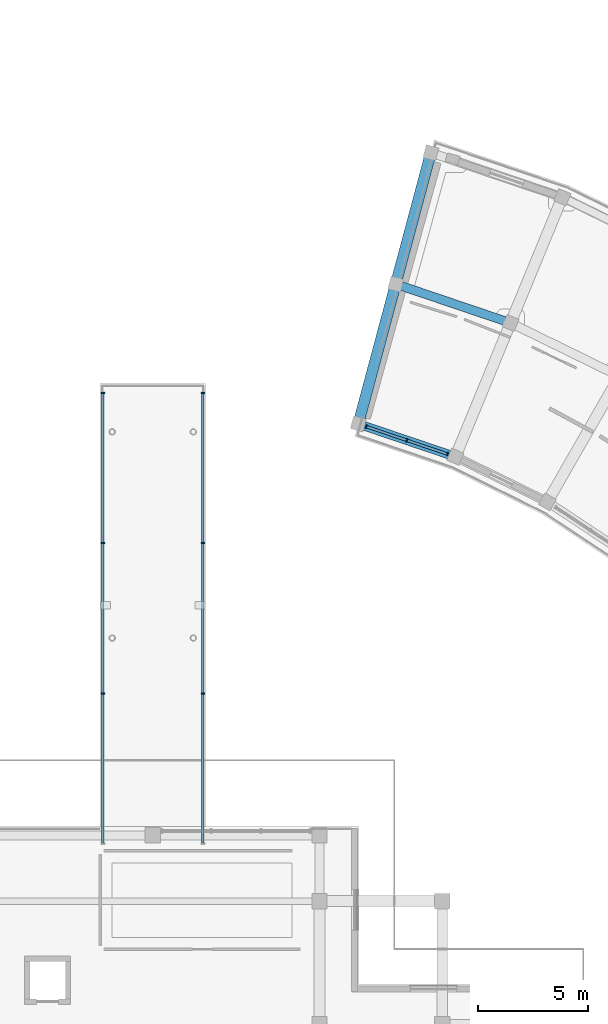
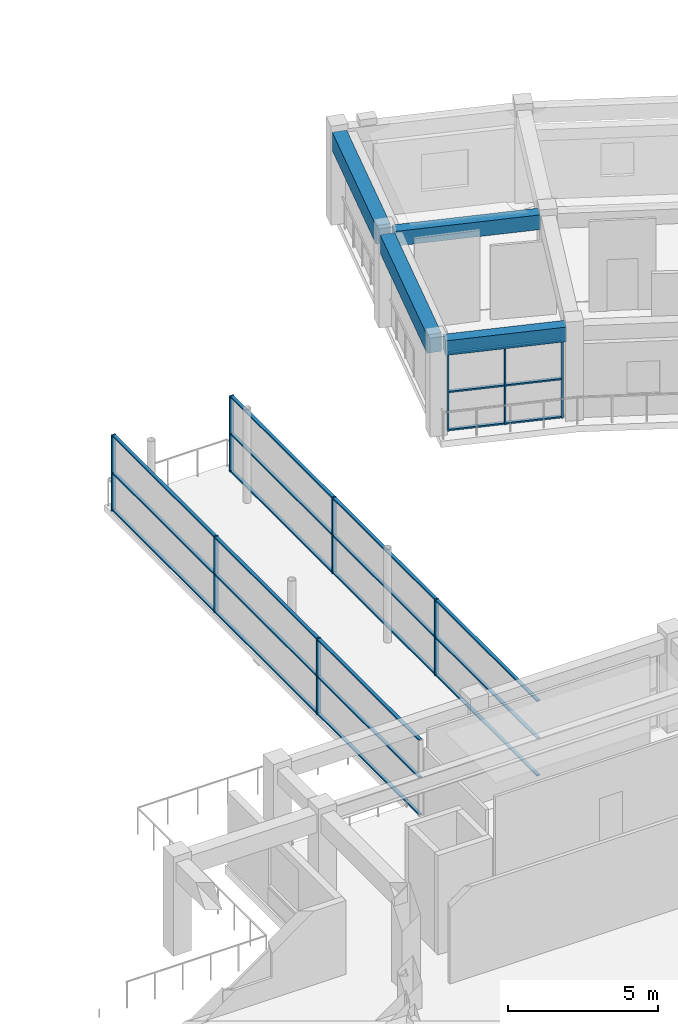
# One storey, part 23 of 53: 33 members, 4 beams, 3 elements without a shape of their own.
"""IFC4 building model written with IfcOpenShell, lengths in metres."""

from ifc_helpers import new_model, si_unit, direction, frame, origin, origin_2d, place, context, subcontext, project, spatial, rectangle, extrude, material, material_profile, profile_set, type_object, element, aggregate, save


model = new_model("IFC4")

# Units and contexts
model_context = context("Model", 3, precision=1e-05, world=origin(), true_north=direction((0.0, 1.0)))
body_context = subcontext(model_context, "Body", "Model", "MODEL_VIEW")
ifc_project = project(units=[si_unit("LENGTHUNIT", "METRE"), si_unit("AREAUNIT", "SQUARE_METRE"), si_unit("VOLUMEUNIT", "CUBIC_METRE"), si_unit("PLANEANGLEUNIT", "RADIAN"), si_unit("MASSUNIT", "GRAM", prefix="KILO")], contexts=[model_context])

# Site, building, storey
site_placement = place(None, origin())
site = spatial("IfcSite", under=ifc_project, at=site_placement, CompositionType="ELEMENT")
building_placement = place(site_placement, origin())
building = spatial("IfcBuilding", under=site, at=building_placement, Name="Saryqyr Civic Hall", CompositionType="ELEMENT")
storey_placement = place(building_placement, frame((0.0, 0.0, 21.300048828125)))
storey = spatial("IfcBuildingStorey", under=building, at=storey_placement, Name="L05", CompositionType="ELEMENT", Elevation=21.300048828125)

# Curtain wall, members
ifc_material_1 = material(Name="Anodised aluminium and triple low-E glass", Category="aluminium")
curtain_wall_type_1 = type_object("IfcCurtainWallType", Name="ENV-CW-STD-21", PredefinedType="NOTDEFINED", material=ifc_material_1)
curtain_wall_1_placement = place(storey_placement, origin())
curtain_wall_1 = element("IfcCurtainWall", 1, at=curtain_wall_1_placement, inside=storey, type_object=curtain_wall_type_1, Name="Curtain wall V6-CWI-L05-09", PredefinedType="NOTDEFINED")
ifc_material_2 = material(Name="Anodised aluminium", Category="aluminium")
ifc_material_profile_1 = material_profile(ifc_material_2, rectangle(XDim=0.06005859375, YDim=0.159912109375, at=origin_2d()), Name="ALU MULLION 60x160")
ifc_profile_set_1 = profile_set([ifc_material_profile_1], Name="Anodised aluminium")
member_type_1 = type_object("IfcMemberType", Name="ENV-CW-MUL-180", PredefinedType="MULLION", material=ifc_profile_set_1)
member_1_placement = place(storey_placement, frame((70.42919921875, 117.592041015625, 0.0), z_axis=(0.0, 0.0, 1.0), x_axis=(-0.947202392558, 0.320636285428, 0.0)))
member_1 = element("IfcMember", 2, at=member_1_placement, type_object=member_type_1, Name="CW-21 mullion 1", PredefinedType="MULLION", context=body_context, shape_type="SweptSolid", body=[
    extrude(rectangle(XDim=0.06005859375, YDim=0.159912109375, at=origin_2d()), origin(), (0.0, 0.0, 1.0), 3.1650390625),
])
member_2_placement = place(storey_placement, frame((68.58349609375, 118.217041015625, 0.0), z_axis=(0.0, 0.0, 1.0), x_axis=(-0.947202392558, 0.320636285428, 0.0)))
member_2 = element("IfcMember", 3, at=member_2_placement, type_object=member_type_1, Name="CW-21 mullion 2", PredefinedType="MULLION", context=body_context, shape_type="SweptSolid", body=[
    extrude(rectangle(XDim=0.06005859375, YDim=0.159912109375, at=origin_2d()), origin(), (0.0, 0.0, 1.0), 3.1650390625),
])
member_3_placement = place(storey_placement, frame((66.737548828125, 118.841796875, 0.0), z_axis=(0.0, 0.0, 1.0), x_axis=(-0.947202392558, 0.320636285428, 0.0)))
member_3 = element("IfcMember", 4, at=member_3_placement, type_object=member_type_1, Name="CW-21 mullion 3", PredefinedType="MULLION", context=body_context, shape_type="SweptSolid", body=[
    extrude(rectangle(XDim=0.06005859375, YDim=0.159912109375, at=origin_2d()), origin(), (0.0, 0.0, 1.0), 3.1650390625),
])

curtain_wall_type_2 = type_object("IfcCurtainWallType", Name="ENV-CW-STD-88", PredefinedType="NOTDEFINED", material=ifc_material_1)
curtain_wall_2_placement = place(storey_placement, origin())
curtain_wall_2 = element("IfcCurtainWall", 5, at=curtain_wall_2_placement, inside=storey, type_object=curtain_wall_type_2, Name="Curtain wall BR-CN-CW1-L05", PredefinedType="NOTDEFINED")
member_4_placement = place(storey_placement, frame((54.719970703125, 106.666748046875, 0.0), z_axis=(0.0, 0.0, 1.0), x_axis=(0.0, 1.0, 0.0)))
member_4 = element("IfcMember", 6, at=member_4_placement, type_object=member_type_1, Name="CW-88 mullion 2", PredefinedType="MULLION", context=body_context, shape_type="SweptSolid", body=[
    extrude(rectangle(XDim=0.06005859375, YDim=0.159912109375, at=origin_2d()), origin(), (0.0, 0.0, 1.0), 3.099853515625),
])
member_5_placement = place(storey_placement, frame((54.719970703125, 113.533447265625, 0.0), z_axis=(0.0, 0.0, 1.0), x_axis=(0.0, 1.0, 0.0)))
member_5 = element("IfcMember", 7, at=member_5_placement, type_object=member_type_1, Name="CW-88 mullion 3", PredefinedType="MULLION", context=body_context, shape_type="SweptSolid", body=[
    extrude(rectangle(XDim=0.06005859375, YDim=0.159912109375, at=origin_2d()), origin(), (0.0, 0.0, 1.0), 3.099853515625),
])
member_6_placement = place(storey_placement, frame((54.719970703125, 120.3701171875, 0.0), z_axis=(0.0, 0.0, 1.0), x_axis=(0.0, 1.0, 0.0)))
member_6 = element("IfcMember", 8, at=member_6_placement, type_object=member_type_1, Name="CW-88 mullion 4", PredefinedType="MULLION", context=body_context, shape_type="SweptSolid", body=[
    extrude(rectangle(XDim=0.06005859375, YDim=0.159912109375, at=origin_2d()), origin(), (0.0, 0.0, 1.0), 3.099853515625),
])

curtain_wall_3_placement = place(storey_placement, origin())
curtain_wall_3 = element("IfcCurtainWall", 9, at=curtain_wall_3_placement, inside=storey, type_object=curtain_wall_type_2, Name="Curtain wall BR-CN-CW2-L05", PredefinedType="NOTDEFINED")
member_7_placement = place(storey_placement, frame((59.280029296875, 120.3701171875, 0.0), z_axis=(0.0, 0.0, 1.0), x_axis=(0.0, -1.0, 0.0)))
member_7 = element("IfcMember", 10, at=member_7_placement, type_object=member_type_1, Name="CW-88 mullion 1", PredefinedType="MULLION", context=body_context, shape_type="SweptSolid", body=[
    extrude(rectangle(XDim=0.06005859375, YDim=0.159912109375, at=origin_2d()), origin(), (0.0, 0.0, 1.0), 3.099853515625),
])
member_8_placement = place(storey_placement, frame((59.280029296875, 113.533447265625, 0.0), z_axis=(0.0, 0.0, 1.0), x_axis=(0.0, -1.0, 0.0)))
member_8 = element("IfcMember", 11, at=member_8_placement, type_object=member_type_1, Name="CW-88 mullion 2", PredefinedType="MULLION", context=body_context, shape_type="SweptSolid", body=[
    extrude(rectangle(XDim=0.06005859375, YDim=0.159912109375, at=origin_2d()), origin(), (0.0, 0.0, 1.0), 3.099853515625),
])
member_9_placement = place(storey_placement, frame((59.280029296875, 106.666748046875, 0.0), z_axis=(0.0, 0.0, 1.0), x_axis=(0.0, -1.0, 0.0)))
member_9 = element("IfcMember", 12, at=member_9_placement, type_object=member_type_1, Name="CW-88 mullion 3", PredefinedType="MULLION", context=body_context, shape_type="SweptSolid", body=[
    extrude(rectangle(XDim=0.06005859375, YDim=0.159912109375, at=origin_2d()), origin(), (0.0, 0.0, 1.0), 3.099853515625),
])

# Member
ifc_material_profile_2 = material_profile(ifc_material_2, rectangle(XDim=0.1201171875, YDim=0.06005859375, at=origin_2d()), Name="ALU TRANSOM 120x60")
ifc_profile_set_2 = profile_set([ifc_material_profile_2], Name="Anodised aluminium")
member_type_2 = type_object("IfcMemberType", Name="ENV-CW-TRN-150", PredefinedType="USERDEFINED", material=ifc_profile_set_2)
member_10_placement = place(storey_placement, frame((70.40087890625, 117.601806640625, 0.030029296875), z_axis=(-0.947225631474, 0.320567626372, 0.0), x_axis=(-0.320567626372, -0.947225631474, 0.0)))
member_10 = element("IfcMember", 13, at=member_10_placement, type_object=member_type_2, Name="CW-21 transom 1.1", ObjectType="TRANSOM", PredefinedType="USERDEFINED", context=body_context, shape_type="SweptSolid", body=[
    extrude(rectangle(XDim=0.1201171875, YDim=0.06005859375, at=origin_2d()), origin(), (0.0, 0.0, 1.0), 1.888671875),
])

member_11_placement = place(storey_placement, frame((70.40087890625, 117.601806640625, 1.5830078125), z_axis=(-0.947225631474, 0.320567626372, 0.0), x_axis=(-0.320567626372, -0.947225631474, 0.0)))
member_11 = element("IfcMember", 14, at=member_11_placement, type_object=member_type_2, Name="CW-21 transom 1.2", ObjectType="TRANSOM", PredefinedType="USERDEFINED", context=body_context, shape_type="SweptSolid", body=[
    extrude(rectangle(XDim=0.1201171875, YDim=0.06005859375, at=origin_2d()), origin(), (0.0, 0.0, 1.0), 1.888671875),
])

member_12_placement = place(storey_placement, frame((70.40087890625, 117.601806640625, 3.135009765625), z_axis=(-0.947225631474, 0.320567626372, 0.0), x_axis=(-0.320567626372, -0.947225631474, 0.0)))
member_12 = element("IfcMember", 15, at=member_12_placement, type_object=member_type_2, Name="CW-21 transom 1.3", ObjectType="TRANSOM", PredefinedType="USERDEFINED", context=body_context, shape_type="SweptSolid", body=[
    extrude(rectangle(XDim=0.1201171875, YDim=0.06005859375, at=origin_2d()), origin(), (0.0, 0.0, 1.0), 1.888671875),
])

member_13_placement = place(storey_placement, frame((68.554931640625, 118.2265625, 0.030029296875), z_axis=(-0.947173081029, 0.320722862568, 0.0), x_axis=(-0.320722862568, -0.947173081029, 0.0)))
member_13 = element("IfcMember", 16, at=member_13_placement, type_object=member_type_2, Name="CW-21 transom 2.1", ObjectType="TRANSOM", PredefinedType="USERDEFINED", context=body_context, shape_type="SweptSolid", body=[
    extrude(rectangle(XDim=0.1201171875, YDim=0.06005859375, at=origin_2d()), origin(), (0.0, 0.0, 1.0), 1.888671875),
])

member_14_placement = place(storey_placement, frame((68.554931640625, 118.2265625, 1.5830078125), z_axis=(-0.947173081029, 0.320722862568, 0.0), x_axis=(-0.320722862568, -0.947173081029, 0.0)))
member_14 = element("IfcMember", 17, at=member_14_placement, type_object=member_type_2, Name="CW-21 transom 2.2", ObjectType="TRANSOM", PredefinedType="USERDEFINED", context=body_context, shape_type="SweptSolid", body=[
    extrude(rectangle(XDim=0.1201171875, YDim=0.06005859375, at=origin_2d()), origin(), (0.0, 0.0, 1.0), 1.888671875),
])

member_15_placement = place(storey_placement, frame((68.554931640625, 118.2265625, 3.135009765625), z_axis=(-0.947173081029, 0.320722862568, 0.0), x_axis=(-0.320722862568, -0.947173081029, 0.0)))
member_15 = element("IfcMember", 18, at=member_15_placement, type_object=member_type_2, Name="CW-21 transom 2.3", ObjectType="TRANSOM", PredefinedType="USERDEFINED", context=body_context, shape_type="SweptSolid", body=[
    extrude(rectangle(XDim=0.1201171875, YDim=0.06005859375, at=origin_2d()), origin(), (0.0, 0.0, 1.0), 1.888671875),
])

aggregate(curtain_wall_1, [member_1, member_2, member_3, member_10, member_11, member_12, member_13, member_14, member_15])

member_16_placement = place(storey_placement, frame((54.719970703125, 99.860107421875, 0.030029296875), z_axis=(0.0, 1.0, 0.0), x_axis=(-1.0, 0.0, 0.0)))
member_16 = element("IfcMember", 19, at=member_16_placement, type_object=member_type_2, Name="CW-88 transom 1.1", ObjectType="TRANSOM", PredefinedType="USERDEFINED", context=body_context, shape_type="SweptSolid", body=[
    extrude(rectangle(XDim=0.1201171875, YDim=0.06005859375, at=origin_2d()), origin(), (0.0, 0.0, 1.0), 6.776611328125),
])

member_17_placement = place(storey_placement, frame((54.719970703125, 99.860107421875, 1.550048828125), z_axis=(0.0, 1.0, 0.0), x_axis=(-1.0, 0.0, 0.0)))
member_17 = element("IfcMember", 20, at=member_17_placement, type_object=member_type_2, Name="CW-88 transom 1.2", ObjectType="TRANSOM", PredefinedType="USERDEFINED", context=body_context, shape_type="SweptSolid", body=[
    extrude(rectangle(XDim=0.1201171875, YDim=0.06005859375, at=origin_2d()), origin(), (0.0, 0.0, 1.0), 6.776611328125),
])

member_18_placement = place(storey_placement, frame((54.719970703125, 99.860107421875, 3.070068359375), z_axis=(0.0, 1.0, 0.0), x_axis=(-1.0, 0.0, 0.0)))
member_18 = element("IfcMember", 21, at=member_18_placement, type_object=member_type_2, Name="CW-88 transom 1.3", ObjectType="TRANSOM", PredefinedType="USERDEFINED", context=body_context, shape_type="SweptSolid", body=[
    extrude(rectangle(XDim=0.1201171875, YDim=0.06005859375, at=origin_2d()), origin(), (0.0, 0.0, 1.0), 6.776611328125),
])

member_19_placement = place(storey_placement, frame((54.719970703125, 106.69677734375, 0.030029296875), z_axis=(0.0, 1.0, 0.0), x_axis=(-1.0, 0.0, 0.0)))
member_19 = element("IfcMember", 22, at=member_19_placement, type_object=member_type_2, Name="CW-88 transom 2.1", ObjectType="TRANSOM", PredefinedType="USERDEFINED", context=body_context, shape_type="SweptSolid", body=[
    extrude(rectangle(XDim=0.1201171875, YDim=0.06005859375, at=origin_2d()), origin(), (0.0, 0.0, 1.0), 6.806640625),
])

member_20_placement = place(storey_placement, frame((54.719970703125, 106.69677734375, 1.550048828125), z_axis=(0.0, 1.0, 0.0), x_axis=(-1.0, 0.0, 0.0)))
member_20 = element("IfcMember", 23, at=member_20_placement, type_object=member_type_2, Name="CW-88 transom 2.2", ObjectType="TRANSOM", PredefinedType="USERDEFINED", context=body_context, shape_type="SweptSolid", body=[
    extrude(rectangle(XDim=0.1201171875, YDim=0.06005859375, at=origin_2d()), origin(), (0.0, 0.0, 1.0), 6.806640625),
])

member_21_placement = place(storey_placement, frame((54.719970703125, 106.69677734375, 3.070068359375), z_axis=(0.0, 1.0, 0.0), x_axis=(-1.0, 0.0, 0.0)))
member_21 = element("IfcMember", 24, at=member_21_placement, type_object=member_type_2, Name="CW-88 transom 2.3", ObjectType="TRANSOM", PredefinedType="USERDEFINED", context=body_context, shape_type="SweptSolid", body=[
    extrude(rectangle(XDim=0.1201171875, YDim=0.06005859375, at=origin_2d()), origin(), (0.0, 0.0, 1.0), 6.806640625),
])

member_22_placement = place(storey_placement, frame((54.719970703125, 113.563232421875, 0.030029296875), z_axis=(0.0, 1.0, 0.0), x_axis=(-1.0, 0.0, 0.0)))
member_22 = element("IfcMember", 25, at=member_22_placement, type_object=member_type_2, Name="CW-88 transom 3.1", ObjectType="TRANSOM", PredefinedType="USERDEFINED", context=body_context, shape_type="SweptSolid", body=[
    extrude(rectangle(XDim=0.1201171875, YDim=0.06005859375, at=origin_2d()), origin(), (0.0, 0.0, 1.0), 6.77685546875),
])

member_23_placement = place(storey_placement, frame((54.719970703125, 113.563232421875, 1.550048828125), z_axis=(0.0, 1.0, 0.0), x_axis=(-1.0, 0.0, 0.0)))
member_23 = element("IfcMember", 26, at=member_23_placement, type_object=member_type_2, Name="CW-88 transom 3.2", ObjectType="TRANSOM", PredefinedType="USERDEFINED", context=body_context, shape_type="SweptSolid", body=[
    extrude(rectangle(XDim=0.1201171875, YDim=0.06005859375, at=origin_2d()), origin(), (0.0, 0.0, 1.0), 6.77685546875),
])

member_24_placement = place(storey_placement, frame((54.719970703125, 113.563232421875, 3.070068359375), z_axis=(0.0, 1.0, 0.0), x_axis=(-1.0, 0.0, 0.0)))
member_24 = element("IfcMember", 27, at=member_24_placement, type_object=member_type_2, Name="CW-88 transom 3.3", ObjectType="TRANSOM", PredefinedType="USERDEFINED", context=body_context, shape_type="SweptSolid", body=[
    extrude(rectangle(XDim=0.1201171875, YDim=0.06005859375, at=origin_2d()), origin(), (0.0, 0.0, 1.0), 6.77685546875),
])

aggregate(curtain_wall_2, [member_4, member_5, member_6, member_16, member_17, member_18, member_19, member_20, member_21, member_22, member_23, member_24])

member_25_placement = place(storey_placement, frame((59.280029296875, 120.340087890625, 0.030029296875), z_axis=(0.0, -1.0, 0.0), x_axis=(1.0, 0.0, 0.0)))
member_25 = element("IfcMember", 28, at=member_25_placement, type_object=member_type_2, Name="CW-88 transom 1.1", ObjectType="TRANSOM", PredefinedType="USERDEFINED", context=body_context, shape_type="SweptSolid", body=[
    extrude(rectangle(XDim=0.1201171875, YDim=0.06005859375, at=origin_2d()), origin(), (0.0, 0.0, 1.0), 6.77685546875),
])

member_26_placement = place(storey_placement, frame((59.280029296875, 120.340087890625, 1.550048828125), z_axis=(0.0, -1.0, 0.0), x_axis=(1.0, 0.0, 0.0)))
member_26 = element("IfcMember", 29, at=member_26_placement, type_object=member_type_2, Name="CW-88 transom 1.2", ObjectType="TRANSOM", PredefinedType="USERDEFINED", context=body_context, shape_type="SweptSolid", body=[
    extrude(rectangle(XDim=0.1201171875, YDim=0.06005859375, at=origin_2d()), origin(), (0.0, 0.0, 1.0), 6.77685546875),
])

member_27_placement = place(storey_placement, frame((59.280029296875, 120.340087890625, 3.070068359375), z_axis=(0.0, -1.0, 0.0), x_axis=(1.0, 0.0, 0.0)))
member_27 = element("IfcMember", 30, at=member_27_placement, type_object=member_type_2, Name="CW-88 transom 1.3", ObjectType="TRANSOM", PredefinedType="USERDEFINED", context=body_context, shape_type="SweptSolid", body=[
    extrude(rectangle(XDim=0.1201171875, YDim=0.06005859375, at=origin_2d()), origin(), (0.0, 0.0, 1.0), 6.77685546875),
])

member_28_placement = place(storey_placement, frame((59.280029296875, 113.50341796875, 0.030029296875), z_axis=(0.0, -1.0, 0.0), x_axis=(1.0, 0.0, 0.0)))
member_28 = element("IfcMember", 31, at=member_28_placement, type_object=member_type_2, Name="CW-88 transom 2.1", ObjectType="TRANSOM", PredefinedType="USERDEFINED", context=body_context, shape_type="SweptSolid", body=[
    extrude(rectangle(XDim=0.1201171875, YDim=0.06005859375, at=origin_2d()), origin(), (0.0, 0.0, 1.0), 6.806640625),
])

member_29_placement = place(storey_placement, frame((59.280029296875, 113.50341796875, 1.550048828125), z_axis=(0.0, -1.0, 0.0), x_axis=(1.0, 0.0, 0.0)))
member_29 = element("IfcMember", 32, at=member_29_placement, type_object=member_type_2, Name="CW-88 transom 2.2", ObjectType="TRANSOM", PredefinedType="USERDEFINED", context=body_context, shape_type="SweptSolid", body=[
    extrude(rectangle(XDim=0.1201171875, YDim=0.06005859375, at=origin_2d()), origin(), (0.0, 0.0, 1.0), 6.806640625),
])

member_30_placement = place(storey_placement, frame((59.280029296875, 113.50341796875, 3.070068359375), z_axis=(0.0, -1.0, 0.0), x_axis=(1.0, 0.0, 0.0)))
member_30 = element("IfcMember", 33, at=member_30_placement, type_object=member_type_2, Name="CW-88 transom 2.3", ObjectType="TRANSOM", PredefinedType="USERDEFINED", context=body_context, shape_type="SweptSolid", body=[
    extrude(rectangle(XDim=0.1201171875, YDim=0.06005859375, at=origin_2d()), origin(), (0.0, 0.0, 1.0), 6.806640625),
])

member_31_placement = place(storey_placement, frame((59.280029296875, 106.63671875, 0.030029296875), z_axis=(0.0, -1.0, 0.0), x_axis=(1.0, 0.0, 0.0)))
member_31 = element("IfcMember", 34, at=member_31_placement, type_object=member_type_2, Name="CW-88 transom 3.1", ObjectType="TRANSOM", PredefinedType="USERDEFINED", context=body_context, shape_type="SweptSolid", body=[
    extrude(rectangle(XDim=0.1201171875, YDim=0.06005859375, at=origin_2d()), origin(), (0.0, 0.0, 1.0), 6.776611328125),
])

member_32_placement = place(storey_placement, frame((59.280029296875, 106.63671875, 1.550048828125), z_axis=(0.0, -1.0, 0.0), x_axis=(1.0, 0.0, 0.0)))
member_32 = element("IfcMember", 35, at=member_32_placement, type_object=member_type_2, Name="CW-88 transom 3.2", ObjectType="TRANSOM", PredefinedType="USERDEFINED", context=body_context, shape_type="SweptSolid", body=[
    extrude(rectangle(XDim=0.1201171875, YDim=0.06005859375, at=origin_2d()), origin(), (0.0, 0.0, 1.0), 6.776611328125),
])

member_33_placement = place(storey_placement, frame((59.280029296875, 106.63671875, 3.070068359375), z_axis=(0.0, -1.0, 0.0), x_axis=(1.0, 0.0, 0.0)))
member_33 = element("IfcMember", 36, at=member_33_placement, type_object=member_type_2, Name="CW-88 transom 3.3", ObjectType="TRANSOM", PredefinedType="USERDEFINED", context=body_context, shape_type="SweptSolid", body=[
    extrude(rectangle(XDim=0.1201171875, YDim=0.06005859375, at=origin_2d()), origin(), (0.0, 0.0, 1.0), 6.776611328125),
])

aggregate(curtain_wall_3, [member_7, member_8, member_9, member_25, member_26, member_27, member_28, member_29, member_30, member_31, member_32, member_33])

# Beams
ifc_material_3 = material(Name="Concrete C35/45", Category="concrete")
ifc_material_profile_3 = material_profile(ifc_material_3, rectangle(XDim=0.39990234375, YDim=0.60009765625, at=origin_2d()), Name="RC 400x600")
ifc_profile_set_3 = profile_set([ifc_material_profile_3], Name="Concrete C35/45")
beam_type_1 = type_object("IfcBeamType", Name="STR-BM-RC400x600", PredefinedType="BEAM", material=ifc_profile_set_3)
beam_1_placement = place(storey_placement, frame((73.052734375, 123.6572265625, 3.489990234375), z_axis=(-0.947191677807, 0.32066793649, 0.0), x_axis=(-0.32066793649, -0.947191677807, 0.0)))
element("IfcBeam", 37, at=beam_1_placement, inside=storey, type_object=beam_type_1, Name="Beam V6-CBM-MID09-L05", PredefinedType="BEAM", context=body_context, shape_type="SweptSolid", body=[
    extrude(rectangle(XDim=0.39990234375, YDim=0.60009765625, at=origin_2d()), origin(), (0.0, 0.0, 1.0), 4.977783203125),
])
ifc_material_profile_4 = material_profile(ifc_material_3, rectangle(XDim=0.39990234375, YDim=0.60009765625, at=origin_2d()), Name="RC 400x600")
ifc_profile_set_4 = profile_set([ifc_material_profile_4], Name="Concrete C35/45")
beam_type_2 = type_object("IfcBeamType", Name="STR-BM-RC400x600-EXT", PredefinedType="BEAM", material=ifc_profile_set_4)
beam_2_placement = place(storey_placement, frame((70.537109375, 117.5556640625, 3.489990234375), z_axis=(-0.947199378893, 0.320645188057, 0.0), x_axis=(-0.320645188057, -0.947199378893, 0.0)))
element("IfcBeam", 38, at=beam_2_placement, inside=storey, type_object=beam_type_2, Name="Beam V6-CBM-IN09-L05", PredefinedType="BEAM", context=body_context, shape_type="SweptSolid", body=[
    extrude(rectangle(XDim=0.39990234375, YDim=0.60009765625, at=origin_2d()), origin(), (0.0, 0.0, 1.0), 4.125244140625),
])
ifc_material_4 = material(Name="Concrete C40/50", Category="concrete")
ifc_material_profile_5 = material_profile(ifc_material_4, rectangle(XDim=0.5, YDim=0.75, at=origin_2d()), Name="RC 500x750")
ifc_profile_set_5 = profile_set([ifc_material_profile_5], Name="Concrete C40/50")
beam_type_3 = type_object("IfcBeamType", Name="STR-BM-RC500x750", PredefinedType="BEAM", material=ifc_profile_set_5)
beam_3_placement = place(storey_placement, frame((66.4404296875, 119.232177734375, 3.4150390625), z_axis=(0.258832905588, 0.965922112277, 0.0), x_axis=(-0.965922112277, 0.258832905588, 0.0)))
element("IfcBeam", 39, at=beam_3_placement, inside=storey, type_object=beam_type_3, Name="Beam V6-RBM-A10-L05", PredefinedType="BEAM", context=body_context, shape_type="SweptSolid", body=[
    extrude(rectangle(XDim=0.5, YDim=0.75, at=origin_2d()), origin(), (0.0, 0.0, 1.0), 6.0498046875),
])
beam_4_placement = place(storey_placement, frame((68.148681640625, 125.607177734375, 3.4150390625), z_axis=(0.25878936227, 0.965933779291, 0.0), x_axis=(-0.965933779291, 0.25878936227, 0.0)))
element("IfcBeam", 40, at=beam_4_placement, inside=storey, type_object=beam_type_3, Name="Beam V6-RBM-B10-L05", PredefinedType="BEAM", context=body_context, shape_type="SweptSolid", body=[
    extrude(rectangle(XDim=0.5, YDim=0.75, at=origin_2d()), origin(), (0.0, 0.0, 1.0), 5.64990234375),
])

save(model, "model.ifc")
